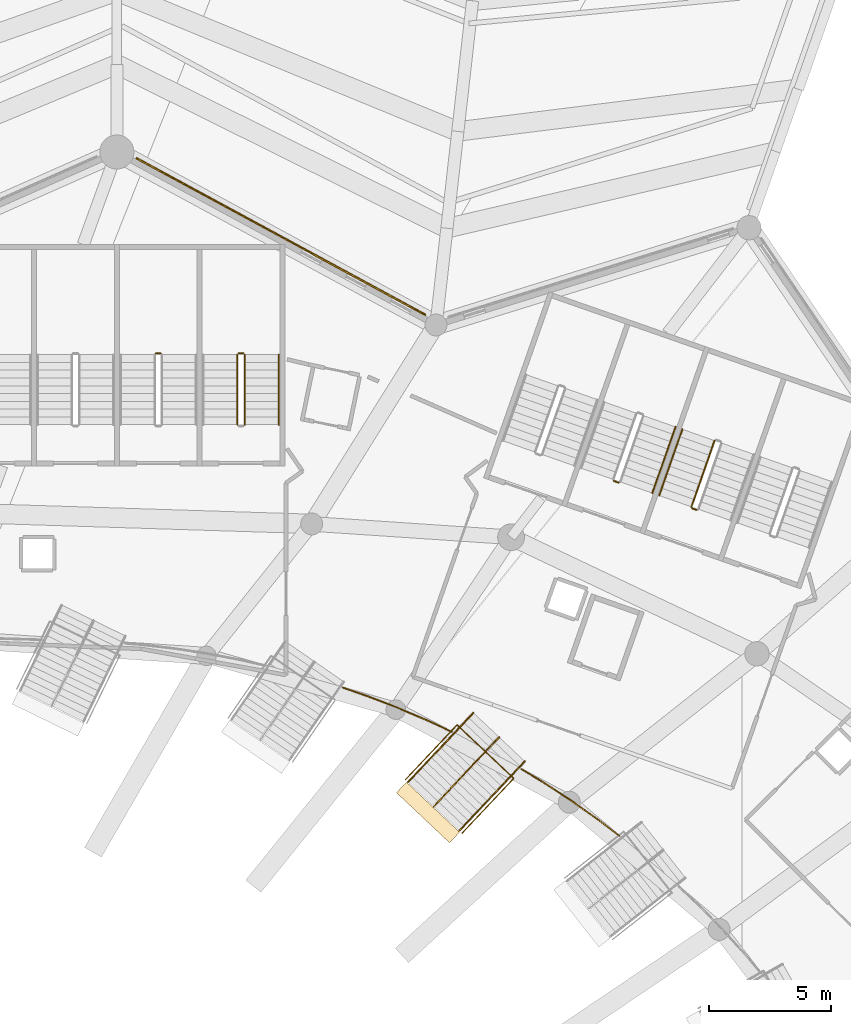
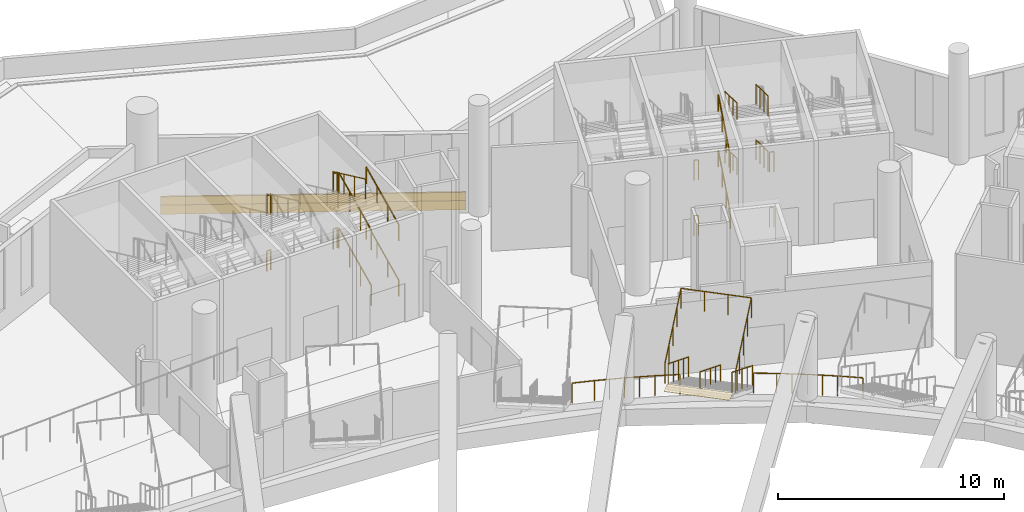
# One storey, part 168 of 173: 25 railings, 3 coverings.
"""IFC4 building model written with IfcOpenShell, lengths in metres."""

from ifc_helpers import new_model, si_unit, direction, frame, origin, origin_2d, place, context, subcontext, project, spatial, rectangle, circle, extrude, material, layer, layer_set, type_object, element, save


model = new_model("IFC4")

# Units and contexts
model_context = context("Model", 3, precision=1e-05, world=origin(), true_north=direction((0.0, 1.0)))
body_context = subcontext(model_context, "Body", "Model", "MODEL_VIEW")
ifc_project = project(units=[si_unit("LENGTHUNIT", "METRE"), si_unit("AREAUNIT", "SQUARE_METRE"), si_unit("VOLUMEUNIT", "CUBIC_METRE"), si_unit("PLANEANGLEUNIT", "RADIAN"), si_unit("MASSUNIT", "GRAM", prefix="KILO")], contexts=[model_context])

# Site, building, storey
site_placement = place(None, origin())
site = spatial("IfcSite", under=ifc_project, at=site_placement, CompositionType="ELEMENT")
building_placement = place(site_placement, origin())
building = spatial("IfcBuilding", under=site, at=building_placement, Name="Meseta Stadium", CompositionType="ELEMENT")
storey_placement = place(building_placement, frame((0.0, 0.0, 18.0)))
storey = spatial("IfcBuildingStorey", under=building, at=storey_placement, Name="L03", CompositionType="ELEMENT", Elevation=18.0)

# Covering
ifc_material_1 = material(Name="Guadarrama granite cladding", Category="masonry")
ifc_layer_1 = layer(ifc_material_1, 0.06005859375)
ifc_layer_set_1 = layer_set([ifc_layer_1], Name="Granite plinth cladding 60")
covering_type_1 = type_object("IfcCoveringType", Name="Granite plinth cladding 60", PredefinedType="CLADDING", material=ifc_layer_set_1)
covering_1_placement = place(storey_placement, frame((45.071044921875, 101.923828125, 0.0), z_axis=(0.0, 0.0, 1.0), x_axis=(0.879141700714, -0.476560457933, 0.0)))
element("IfcCovering", 1, at=covering_1_placement, inside=storey, type_object=covering_type_1, Name="Granite plinth L03 F15", PredefinedType="CLADDING", context=body_context, shape_type="SweptSolid", body=[
    extrude(rectangle(XDim=13.5205078125, YDim=0.06005859375, at=origin_2d()), origin(), (0.0, 0.0, 1.0), 0.5),
])

# Railings
ifc_material_2 = material(Name="Steel S355", Category="steel")
railing_type_1 = type_object("IfcRailingType", Name="Plate edge guard 1100", PredefinedType="GUARDRAIL", material=ifc_material_2)
railing_1_placement = place(storey_placement, frame((58.97412109375, 77.314208984375, 0.0)))
element("IfcRailing", 2, at=railing_1_placement, inside=storey, type_object=railing_type_1, Name="L03 inner edge guard 14", PredefinedType="GUARDRAIL", context=body_context, shape_type="SweptSolid", body=[
    extrude(circle(Radius=0.02490234375, at=origin_2d()), frame((0.0, 0.0, 1.0751953125), z_axis=(-0.795674728127, 0.605724134421, 0.0), x_axis=(-0.605724134421, -0.795674728127, 0.0)), (0.0, 0.0, 1.0), 1.1298828125),
    extrude(circle(Radius=0.02490234375, at=origin_2d()), frame((-0.89892578125, 0.684326171875, 1.0751953125), z_axis=(-0.816797629008, 0.576924287274, 0.0), x_axis=(-0.576924287274, -0.816797629008, 0.0)), (0.0, 0.0, 1.0), 1.3515625),
    extrude(circle(Radius=0.02490234375, at=origin_2d()), frame((-2.0029296875, 1.464111328125, 1.0751953125), z_axis=(-0.836743645867, 0.547594805583, 0.0), x_axis=(-0.547594805583, -0.836743645867, 0.0)), (0.0, 0.0, 1.0), 1.351806640625),
    extrude(circle(Radius=0.02490234375, at=origin_2d()), frame((-3.134033203125, 2.204345703125, 1.0751953125), z_axis=(-0.855746499961, 0.517395330289, 0.0), x_axis=(-0.517395330289, -0.855746499961, 0.0)), (0.0, 0.0, 1.0), 1.0390625),
    extrude(circle(Radius=0.02001953125, at=origin_2d()), origin(), (0.0, 0.0, 1.0), 1.050048828125),
    extrude(circle(Radius=0.02001953125, at=origin_2d()), frame((-0.89892578125, 0.684326171875, 0.0)), (0.0, 0.0, 1.0), 1.050048828125),
    extrude(circle(Radius=0.02001953125, at=origin_2d()), frame((-1.450927734375, 1.07421875, 0.0)), (0.0, 0.0, 1.0), 1.050048828125),
    extrude(circle(Radius=0.02001953125, at=origin_2d()), frame((-2.0029296875, 1.464111328125, 0.0)), (0.0, 0.0, 1.0), 1.050048828125),
    extrude(circle(Radius=0.02001953125, at=origin_2d()), frame((-2.568359375, 1.834228515625, 0.0)), (0.0, 0.0, 1.0), 1.050048828125),
    extrude(circle(Radius=0.02001953125, at=origin_2d()), frame((-3.134033203125, 2.204345703125, 0.0)), (0.0, 0.0, 1.0), 1.050048828125),
    extrude(circle(Radius=0.02001953125, at=origin_2d()), frame((-4.023193359375, 2.741943359375, 0.0)), (0.0, 0.0, 1.0), 1.050048828125),
])
railing_2_placement = place(storey_placement, frame((52.083251953125, 81.591796875, 0.0)))
element("IfcRailing", 3, at=railing_2_placement, inside=storey, type_object=railing_type_1, Name="L03 inner edge guard 15", PredefinedType="GUARDRAIL", context=body_context, shape_type="SweptSolid", body=[
    extrude(circle(Radius=0.02490234375, at=origin_2d()), frame((0.0, 0.0, 1.0751953125), z_axis=(-0.906110366799, 0.423041372894, 0.0), x_axis=(-0.423041372894, -0.906110366799, 0.0)), (0.0, 0.0, 1.0), 1.114501953125),
    extrude(circle(Radius=0.02490234375, at=origin_2d()), frame((-1.009765625, 0.471435546875, 1.0751953125), z_axis=(-0.920530635071, 0.390670385231, 0.0), x_axis=(-0.390670385231, -0.920530635071, 0.0)), (0.0, 0.0, 1.0), 1.352294921875),
    extrude(circle(Radius=0.02490234375, at=origin_2d()), frame((-2.254638671875, 0.999755859375, 1.0751953125), z_axis=(-0.933888814038, 0.357563537033, 0.0), x_axis=(-0.357563537033, -0.933888814038, 0.0)), (0.0, 0.0, 1.0), 1.3525390625),
    extrude(circle(Radius=0.02490234375, at=origin_2d()), frame((-3.517822265625, 1.4833984375, 1.0751953125), z_axis=(-0.945948078572, 0.324318104099, 0.0), x_axis=(-0.324318104099, -0.945948078572, 0.0)), (0.0, 0.0, 1.0), 1.00341796875),
    extrude(circle(Radius=0.02001953125, at=origin_2d()), origin(), (0.0, 0.0, 1.0), 1.050048828125),
    extrude(circle(Radius=0.02001953125, at=origin_2d()), frame((-1.009765625, 0.471435546875, 0.0)), (0.0, 0.0, 1.0), 1.050048828125),
    extrude(circle(Radius=0.02001953125, at=origin_2d()), frame((-1.63232421875, 0.735595703125, 0.0)), (0.0, 0.0, 1.0), 1.050048828125),
    extrude(circle(Radius=0.02001953125, at=origin_2d()), frame((-2.254638671875, 0.999755859375, 0.0)), (0.0, 0.0, 1.0), 1.050048828125),
    extrude(circle(Radius=0.02001953125, at=origin_2d()), frame((-2.88623046875, 1.24169921875, 0.0)), (0.0, 0.0, 1.0), 1.050048828125),
    extrude(circle(Radius=0.02001953125, at=origin_2d()), frame((-3.517822265625, 1.4833984375, 0.0)), (0.0, 0.0, 1.0), 1.050048828125),
    extrude(circle(Radius=0.02001953125, at=origin_2d()), frame((-4.467041015625, 1.808837890625, 0.0)), (0.0, 0.0, 1.0), 1.050048828125),
])
ifc_material_3 = material(Name="Steel S355", Category="steel")
railing_type_2 = type_object("IfcRailingType", Name="Stair guard 1100", PredefinedType="GUARDRAIL", material=ifc_material_3)
railing_3_placement = place(storey_placement, frame((62.88037109375, 93.548583984375, 1.64990234375)))
element("IfcRailing", 4, at=railing_3_placement, inside=storey, type_object=railing_type_2, Name="ST30 L03 guard 3", PredefinedType="GUARDRAIL", context=body_context, shape_type="SweptSolid", body=[
    extrude(circle(Radius=0.02392578125, at=origin_2d()), frame((0.0, 0.0, 1.076171875), z_axis=(-0.299031328765, -0.854649344405, 0.42444641891), x_axis=(0.943891390388, -0.330256026668, 0.0)), (0.0, 0.0, 1.0), 3.180908203125),
    extrude(circle(Radius=0.02099609375, at=origin_2d()), origin(), (0.0, 0.0, 1.0), 1.052001953125),
    extrude(circle(Radius=0.02099609375, at=origin_2d()), frame((-0.317138671875, -0.90625, 0.449951171875)), (0.0, 0.0, 1.0), 1.052001953125),
    extrude(circle(Radius=0.02099609375, at=origin_2d()), frame((-0.634033203125, -1.812255859375, 0.900146484375)), (0.0, 0.0, 1.0), 1.052001953125),
    extrude(circle(Radius=0.02099609375, at=origin_2d()), frame((-0.951171875, -2.718505859375, 1.35009765625)), (0.0, 0.0, 1.0), 1.052001953125),
])
railing_4_placement = place(storey_placement, frame((62.148681640625, 90.700439453125, 3.0)))
element("IfcRailing", 5, at=railing_4_placement, inside=storey, type_object=railing_type_2, Name="ST30 L03 guard 4", PredefinedType="GUARDRAIL", context=body_context, shape_type="SweptSolid", body=[
    extrude(circle(Radius=0.02392578125, at=origin_2d()), frame((0.0, 0.0, 1.076171875), z_axis=(-0.944067610699, 0.329751946816, 0.0), x_axis=(-0.329751946816, -0.944067610699, 0.0)), (0.0, 0.0, 1.0), 0.199951171875),
    extrude(circle(Radius=0.02099609375, at=origin_2d()), origin(), (0.0, 0.0, 1.0), 1.052001953125),
    extrude(circle(Radius=0.02099609375, at=origin_2d()), frame((-0.188720703125, 0.06591796875, 0.0)), (0.0, 0.0, 1.0), 1.052001953125),
])
railing_5_placement = place(storey_placement, frame((62.88037109375, 93.548583984375, 4.64990234375)))
element("IfcRailing", 6, at=railing_5_placement, inside=storey, type_object=railing_type_2, Name="ST30 L03 guard 7", PredefinedType="GUARDRAIL", context=body_context, shape_type="SweptSolid", body=[
    extrude(circle(Radius=0.02392578125, at=origin_2d()), frame((0.0, 0.0, 1.076171875), z_axis=(-0.299031328765, -0.854649344405, 0.42444641891), x_axis=(0.943891390388, -0.330256026668, 0.0)), (0.0, 0.0, 1.0), 3.180908203125),
    extrude(circle(Radius=0.02099609375, at=origin_2d()), origin(), (0.0, 0.0, 1.0), 1.052001953125),
    extrude(circle(Radius=0.02099609375, at=origin_2d()), frame((-0.317138671875, -0.90625, 0.449951171875)), (0.0, 0.0, 1.0), 1.052001953125),
    extrude(circle(Radius=0.02099609375, at=origin_2d()), frame((-0.634033203125, -1.812255859375, 0.900146484375)), (0.0, 0.0, 1.0), 1.052001953125),
    extrude(circle(Radius=0.02099609375, at=origin_2d()), frame((-0.951171875, -2.718505859375, 1.35009765625)), (0.0, 0.0, 1.0), 1.052001953125),
])
railing_6_placement = place(storey_placement, frame((62.148681640625, 90.700439453125, 0.0)))
element("IfcRailing", 7, at=railing_6_placement, inside=storey, type_object=railing_type_2, Name="ST30 L03 guard 8", PredefinedType="GUARDRAIL", context=body_context, shape_type="SweptSolid", body=[
    extrude(circle(Radius=0.02392578125, at=origin_2d()), frame((0.0, 0.0, 1.076171875), z_axis=(-0.944067610699, 0.329751946816, 0.0), x_axis=(-0.329751946816, -0.944067610699, 0.0)), (0.0, 0.0, 1.0), 0.199951171875),
    extrude(circle(Radius=0.02099609375, at=origin_2d()), origin(), (0.0, 0.0, 1.0), 1.052001953125),
    extrude(circle(Radius=0.02099609375, at=origin_2d()), frame((-0.188720703125, 0.06591796875, 0.0)), (0.0, 0.0, 1.0), 1.052001953125),
])
for number, where, name in (
    (8, (58.939453125, 91.8232421875, 3.0), "ST31 L03 guard 4"),
    (9, (58.939453125, 91.8232421875, 0.0), "ST31 L03 guard 8"),
):
    element("IfcRailing", number, at=place(storey_placement, frame(where)), inside=storey, type_object=railing_type_2, Name=name, PredefinedType="GUARDRAIL", context=body_context, shape_type="SweptSolid", body=[
        extrude(circle(Radius=0.02392578125, at=origin_2d()), frame((0.0, 0.0, 1.076171875), z_axis=(-0.943686935281, 0.330839792317, 0.0), x_axis=(-0.330839792317, -0.943686935281, 0.0)), (0.0, 0.0, 1.0), 0.199951171875),
        extrude(circle(Radius=0.02099609375, at=origin_2d()), origin(), (0.0, 0.0, 1.0), 1.052001953125),
        extrude(circle(Radius=0.02099609375, at=origin_2d()), frame((-0.188720703125, 0.066162109375, 0.0)), (0.0, 0.0, 1.0), 1.052001953125),
    ])
railing_7_placement = place(storey_placement, frame((43.583251953125, 94.199951171875, 0.14990234375)))
element("IfcRailing", 10, at=railing_7_placement, inside=storey, type_object=railing_type_2, Name="ST33 L03 guard 1", PredefinedType="GUARDRAIL", context=body_context, shape_type="SweptSolid", body=[
    extrude(circle(Radius=0.02392578125, at=origin_2d()), frame((0.0, 0.0, 1.076171875), z_axis=(0.0, 0.905454327043, 0.424443708447), x_axis=(-1.0, 0.0, 0.0)), (0.0, 0.0, 1.0), 3.180908203125),
    extrude(circle(Radius=0.02099609375, at=origin_2d()), origin(), (0.0, 0.0, 1.0), 1.052001953125),
    extrude(circle(Radius=0.02099609375, at=origin_2d()), frame((0.0, 0.9599609375, 0.449951171875)), (0.0, 0.0, 1.0), 1.052001953125),
    extrude(circle(Radius=0.02099609375, at=origin_2d()), frame((0.0, 1.920166015625, 0.900146484375)), (0.0, 0.0, 1.0), 1.052001953125),
    extrude(circle(Radius=0.02099609375, at=origin_2d()), frame((0.0, 2.880126953125, 1.35009765625)), (0.0, 0.0, 1.0), 1.052001953125),
])
railing_8_placement = place(storey_placement, frame((43.533447265625, 97.1298828125, 1.5)))
element("IfcRailing", 11, at=railing_8_placement, inside=storey, type_object=railing_type_2, Name="ST33 L03 guard 2", PredefinedType="GUARDRAIL", context=body_context, shape_type="SweptSolid", body=[
    extrude(circle(Radius=0.02392578125, at=origin_2d()), frame((0.0, 0.0, 1.076171875), z_axis=(-1.0, 0.0, 0.0), x_axis=(0.0, -1.0, 0.0)), (0.0, 0.0, 1.0), 0.2001953125),
    extrude(circle(Radius=0.02099609375, at=origin_2d()), origin(), (0.0, 0.0, 1.0), 1.052001953125),
    extrude(circle(Radius=0.02099609375, at=origin_2d()), frame((-0.2001953125, 0.0, 0.0)), (0.0, 0.0, 1.0), 1.052001953125),
])
railing_9_placement = place(storey_placement, frame((43.583251953125, 94.199951171875, 3.14990234375)))
element("IfcRailing", 12, at=railing_9_placement, inside=storey, type_object=railing_type_2, Name="ST33 L03 guard 5", PredefinedType="GUARDRAIL", context=body_context, shape_type="SweptSolid", body=[
    extrude(circle(Radius=0.02392578125, at=origin_2d()), frame((0.0, 0.0, 1.076171875), z_axis=(0.0, 0.905454327043, 0.424443708447), x_axis=(-1.0, 0.0, 0.0)), (0.0, 0.0, 1.0), 3.180908203125),
    extrude(circle(Radius=0.02099609375, at=origin_2d()), origin(), (0.0, 0.0, 1.0), 1.052001953125),
    extrude(circle(Radius=0.02099609375, at=origin_2d()), frame((0.0, 0.9599609375, 0.449951171875)), (0.0, 0.0, 1.0), 1.052001953125),
    extrude(circle(Radius=0.02099609375, at=origin_2d()), frame((0.0, 1.920166015625, 0.900146484375)), (0.0, 0.0, 1.0), 1.052001953125),
    extrude(circle(Radius=0.02099609375, at=origin_2d()), frame((0.0, 2.880126953125, 1.35009765625)), (0.0, 0.0, 1.0), 1.052001953125),
])
railing_10_placement = place(storey_placement, frame((43.533447265625, 97.1298828125, 4.5)))
element("IfcRailing", 13, at=railing_10_placement, inside=storey, type_object=railing_type_2, Name="ST33 L03 guard 6", PredefinedType="GUARDRAIL", context=body_context, shape_type="SweptSolid", body=[
    extrude(circle(Radius=0.02392578125, at=origin_2d()), frame((0.0, 0.0, 1.076171875), z_axis=(-1.0, 0.0, 0.0), x_axis=(0.0, -1.0, 0.0)), (0.0, 0.0, 1.0), 0.2001953125),
    extrude(circle(Radius=0.02099609375, at=origin_2d()), origin(), (0.0, 0.0, 1.0), 1.052001953125),
    extrude(circle(Radius=0.02099609375, at=origin_2d()), frame((-0.2001953125, 0.0, 0.0)), (0.0, 0.0, 1.0), 1.052001953125),
])
railing_11_placement = place(storey_placement, frame((43.283447265625, 97.080078125, 4.64990234375)))
element("IfcRailing", 14, at=railing_11_placement, inside=storey, type_object=railing_type_2, Name="ST33 L03 guard 7", PredefinedType="GUARDRAIL", context=body_context, shape_type="SweptSolid", body=[
    extrude(circle(Radius=0.02392578125, at=origin_2d()), frame((0.0, 0.0, 1.076171875), z_axis=(0.0, -0.905454327043, 0.424443708447), x_axis=(1.0, 0.0, 0.0)), (0.0, 0.0, 1.0), 3.180908203125),
    extrude(circle(Radius=0.02099609375, at=origin_2d()), origin(), (0.0, 0.0, 1.0), 1.052001953125),
    extrude(circle(Radius=0.02099609375, at=origin_2d()), frame((0.0, -0.9599609375, 0.449951171875)), (0.0, 0.0, 1.0), 1.052001953125),
    extrude(circle(Radius=0.02099609375, at=origin_2d()), frame((0.0, -1.920166015625, 0.900146484375)), (0.0, 0.0, 1.0), 1.052001953125),
    extrude(circle(Radius=0.02099609375, at=origin_2d()), frame((0.0, -2.880126953125, 1.35009765625)), (0.0, 0.0, 1.0), 1.052001953125),
])
for number, where, name in (
    (15, (40.13330078125, 97.1298828125, 1.5), "ST34 L03 guard 2"),
    (16, (40.13330078125, 97.1298828125, 4.5), "ST34 L03 guard 6"),
):
    element("IfcRailing", number, at=place(storey_placement, frame(where)), inside=storey, type_object=railing_type_2, Name=name, PredefinedType="GUARDRAIL", context=body_context, shape_type="SweptSolid", body=[
        extrude(circle(Radius=0.02392578125, at=origin_2d()), frame((0.0, 0.0, 1.076171875), z_axis=(-1.0, 0.0, 0.0), x_axis=(0.0, -1.0, 0.0)), (0.0, 0.0, 1.0), 0.199951171875),
        extrude(circle(Radius=0.02099609375, at=origin_2d()), origin(), (0.0, 0.0, 1.0), 1.052001953125),
        extrude(circle(Radius=0.02099609375, at=origin_2d()), frame((-0.199951171875, 0.0, 0.0)), (0.0, 0.0, 1.0), 1.052001953125),
    ])
ifc_material_4 = material(Name="Steel S355", Category="steel")
railing_type_3 = type_object("IfcRailingType", Name="Stair handrail 900", PredefinedType="HANDRAIL", material=ifc_material_4)
for number, where, name in (
    (17, (61.55908203125, 94.010986328125, 1.64990234375), "ST30 L03 handrail 2"),
    (18, (61.55908203125, 94.010986328125, 4.64990234375), "ST30 L03 handrail 4"),
):
    element("IfcRailing", number, at=place(storey_placement, frame(where)), inside=storey, type_object=railing_type_3, Name=name, PredefinedType="HANDRAIL", context=body_context, shape_type="SweptSolid", body=[
        extrude(circle(Radius=0.02392578125, at=origin_2d()), frame((0.0, 0.0, 0.8759765625), z_axis=(-0.299031328765, -0.854649344405, 0.42444641891), x_axis=(0.943891390388, -0.330256026668, 0.0)), (0.0, 0.0, 1.0), 3.180908203125),
        extrude(circle(Radius=0.02099609375, at=origin_2d()), origin(), (0.0, 0.0, 1.0), 0.851806640625),
        extrude(circle(Radius=0.02099609375, at=origin_2d()), frame((-0.317138671875, -0.90625, 0.449951171875)), (0.0, 0.0, 1.0), 0.851806640625),
        extrude(circle(Radius=0.02099609375, at=origin_2d()), frame((-0.634033203125, -1.812255859375, 0.900146484375)), (0.0, 0.0, 1.0), 0.851806640625),
        extrude(circle(Radius=0.02099609375, at=origin_2d()), frame((-0.951171875, -2.718505859375, 1.35009765625)), (0.0, 0.0, 1.0), 0.851806640625),
    ])
for number, where, name in (
    (19, (60.32470703125, 91.3916015625, 0.14990234375), "ST31 L03 handrail 1"),
    (20, (60.32470703125, 91.3916015625, 3.14990234375), "ST31 L03 handrail 3"),
):
    element("IfcRailing", number, at=place(storey_placement, frame(where)), inside=storey, type_object=railing_type_3, Name=name, PredefinedType="HANDRAIL", context=body_context, shape_type="SweptSolid", body=[
        extrude(circle(Radius=0.02392578125, at=origin_2d()), frame((0.0, 0.0, 0.8759765625), z_axis=(0.299031328765, 0.854649344405, 0.42444641891), x_axis=(-0.943891390388, 0.330256026668, 0.0)), (0.0, 0.0, 1.0), 3.180908203125),
        extrude(circle(Radius=0.02099609375, at=origin_2d()), origin(), (0.0, 0.0, 1.0), 0.851806640625),
        extrude(circle(Radius=0.02099609375, at=origin_2d()), frame((0.317138671875, 0.90625, 0.449951171875)), (0.0, 0.0, 1.0), 0.851806640625),
        extrude(circle(Radius=0.02099609375, at=origin_2d()), frame((0.634033203125, 1.812255859375, 0.900146484375)), (0.0, 0.0, 1.0), 0.851806640625),
        extrude(circle(Radius=0.02099609375, at=origin_2d()), frame((0.951171875, 2.718505859375, 1.35009765625)), (0.0, 0.0, 1.0), 0.851806640625),
    ])
for number, where, name in (
    (21, (44.9833984375, 94.199951171875, 0.14990234375), "ST33 L03 handrail 1"),
    (22, (44.9833984375, 94.199951171875, 3.14990234375), "ST33 L03 handrail 3"),
):
    element("IfcRailing", number, at=place(storey_placement, frame(where)), inside=storey, type_object=railing_type_3, Name=name, PredefinedType="HANDRAIL", context=body_context, shape_type="SweptSolid", body=[
        extrude(circle(Radius=0.02392578125, at=origin_2d()), frame((0.0, 0.0, 0.8759765625), z_axis=(0.0, 0.905454327043, 0.424443708447), x_axis=(-1.0, 0.0, 0.0)), (0.0, 0.0, 1.0), 3.180908203125),
        extrude(circle(Radius=0.02099609375, at=origin_2d()), origin(), (0.0, 0.0, 1.0), 0.851806640625),
        extrude(circle(Radius=0.02099609375, at=origin_2d()), frame((0.0, 0.9599609375, 0.449951171875)), (0.0, 0.0, 1.0), 0.851806640625),
        extrude(circle(Radius=0.02099609375, at=origin_2d()), frame((0.0, 1.920166015625, 0.900146484375)), (0.0, 0.0, 1.0), 0.851806640625),
        extrude(circle(Radius=0.02099609375, at=origin_2d()), frame((0.0, 2.880126953125, 1.35009765625)), (0.0, 0.0, 1.0), 0.851806640625),
    ])

# Coverings
ifc_material_5 = material(Name="Precast concrete C40/50, terracotta pigment", Category="masonry")
ifc_layer_2 = layer(ifc_material_5, 0.080078125)
ifc_layer_set_2 = layer_set([ifc_layer_2], Name="Precast concrete C40/50, terracotta pigment")
covering_type_2 = type_object("IfcCoveringType", Name="Terracotta precast band 80", PredefinedType="CLADDING", material=ifc_layer_set_2)
covering_2_placement = place(storey_placement, frame((45.075927734375, 101.9326171875, 0.5), z_axis=(0.0, 0.0, 1.0), x_axis=(0.879141700714, -0.476560457933, 0.0)))
element("IfcCovering", 23, at=covering_2_placement, inside=storey, type_object=covering_type_2, Name="Terracotta band L03 F15", PredefinedType="CLADDING", context=body_context, shape_type="SweptSolid", body=[
    extrude(rectangle(XDim=13.5205078125, YDim=0.080078125, at=origin_2d()), origin(), (0.0, 0.0, 1.0), 0.449951171875),
])
ifc_material_6 = material(Name="Stone paving", Category="masonry")
ifc_layer_3 = layer(ifc_material_6, 0.02001953125)
ifc_layer_set_3 = layer_set([ifc_layer_3], Name="Vomitory exit threshold plate 20")
covering_type_3 = type_object("IfcCoveringType", Name="Vomitory exit threshold plate 20", PredefinedType="FLOORING", material=ifc_layer_set_3)
covering_3_placement = place(storey_placement, frame((51.113525390625, 78.275146484375, 2.453125), z_axis=(0.0, 0.0, 1.0), x_axis=(-0.686064733008, -0.72754050205, 0.0)))
element("IfcCovering", 24, at=covering_3_placement, inside=storey, type_object=covering_type_3, Name="Vomitory V-upper-14 exit threshold", PredefinedType="FLOORING", context=body_context, shape_type="SweptSolid", body=[
    extrude(rectangle(XDim=0.60009765625, YDim=3.0, at=origin_2d()), origin(), (0.0, 0.0, 1.0), 0.02001953125),
])

# Railings
ifc_material_7 = material(Name="Steel S355", Category="steel")
railing_type_4 = type_object("IfcRailingType", Name="Vomitory slot guard 1100", PredefinedType="GUARDRAIL", material=ifc_material_7)
railing_12_placement = place(storey_placement, frame((50.1787109375, 79.61572265625, 2.47314453125)))
element("IfcRailing", 25, at=railing_12_placement, inside=storey, type_object=railing_type_4, Name="Vomitory V-upper-14 slot guard", PredefinedType="GUARDRAIL", context=body_context, shape_type="SweptSolid", body=[
    extrude(circle(Radius=0.02490234375, at=origin_2d()), frame((0.0, 0.0, 1.0751953125), z_axis=(0.581765575966, 0.616961358141, 0.530007072766), x_axis=(-0.727554587562, 0.686049795654, 0.0)), (0.0, 0.0, 1.0), 3.655517578125),
    extrude(circle(Radius=0.02490234375, at=origin_2d()), frame((2.126708984375, 2.25537109375, 3.0126953125), z_axis=(0.727554587562, -0.686049795654, 0.0), x_axis=(0.686049795654, 0.727554587562, 0.0)), (0.0, 0.0, 1.0), 3.199951171875),
    extrude(circle(Radius=0.02490234375, at=origin_2d()), frame((4.454833984375, 0.06005859375, 3.0126953125), z_axis=(-0.581765575966, -0.616961358141, -0.530007072766), x_axis=(0.727554587562, -0.686049795654, 0.0)), (0.0, 0.0, 1.0), 3.655517578125),
    extrude(circle(Radius=0.02001953125, at=origin_2d()), origin(), (0.0, 0.0, 1.0), 1.050048828125),
    extrude(circle(Radius=0.02001953125, at=origin_2d()), frame((0.53173828125, 0.56396484375, 0.484375)), (0.0, 0.0, 1.0), 1.050048828125),
    extrude(circle(Radius=0.02001953125, at=origin_2d()), frame((1.0634765625, 1.127685546875, 0.96875)), (0.0, 0.0, 1.0), 1.050048828125),
    extrude(circle(Radius=0.02001953125, at=origin_2d()), frame((1.594970703125, 1.69140625, 1.453125)), (0.0, 0.0, 1.0), 1.050048828125),
    extrude(circle(Radius=0.02001953125, at=origin_2d()), frame((2.126708984375, 2.25537109375, 1.9375)), (0.0, 0.0, 1.0), 1.050048828125),
    extrude(circle(Radius=0.02001953125, at=origin_2d()), frame((2.90283203125, 1.523681640625, 1.9375)), (0.0, 0.0, 1.0), 1.050048828125),
    extrude(circle(Radius=0.02001953125, at=origin_2d()), frame((3.6787109375, 0.791748046875, 1.9375)), (0.0, 0.0, 1.0), 1.050048828125),
    extrude(circle(Radius=0.02001953125, at=origin_2d()), frame((4.454833984375, 0.06005859375, 1.9375)), (0.0, 0.0, 1.0), 1.050048828125),
    extrude(circle(Radius=0.02001953125, at=origin_2d()), frame((3.923095703125, -0.50390625, 1.453125)), (0.0, 0.0, 1.0), 1.050048828125),
    extrude(circle(Radius=0.02001953125, at=origin_2d()), frame((3.3916015625, -1.067626953125, 0.96875)), (0.0, 0.0, 1.0), 1.050048828125),
    extrude(circle(Radius=0.02001953125, at=origin_2d()), frame((2.85986328125, -1.63134765625, 0.484375)), (0.0, 0.0, 1.0), 1.050048828125),
    extrude(circle(Radius=0.02001953125, at=origin_2d()), frame((2.328125, -2.1953125, 0.0)), (0.0, 0.0, 1.0), 1.050048828125),
])
ifc_material_8 = material(Name="Steel S355", Category="steel")
railing_type_5 = type_object("IfcRailingType", Name="Vomitory stair guard 1100", PredefinedType="GUARDRAIL", material=ifc_material_8)
for number, where, name in (
    (26, (55.087158203125, 80.375244140625, 0.164794921875), "Vomitory V-upper-14 guard left"),
    (27, (52.977294921875, 82.364990234375, 0.164794921875), "Vomitory V-upper-14 guard right"),
):
    element("IfcRailing", number, at=place(storey_placement, frame(where)), inside=storey, type_object=railing_type_5, Name=name, PredefinedType="GUARDRAIL", context=body_context, shape_type="SweptSolid", body=[
        extrude(circle(Radius=0.02490234375, at=origin_2d()), frame((0.0, 0.0, 1.0751953125), z_axis=(-0.591183845792, -0.626925352808, 0.507411334601), x_axis=(0.727541443777, -0.686063734348, 0.0)), (0.0, 0.0, 1.0), 4.54931640625),
        extrude(circle(Radius=0.02001953125, at=origin_2d()), origin(), (0.0, 0.0, 1.0), 1.050048828125),
        extrude(circle(Radius=0.02001953125, at=origin_2d()), frame((-0.67236328125, -0.712890625, 0.5771484375)), (0.0, 0.0, 1.0), 1.050048828125),
        extrude(circle(Radius=0.02001953125, at=origin_2d()), frame((-1.3447265625, -1.426025390625, 1.154296875)), (0.0, 0.0, 1.0), 1.050048828125),
        extrude(circle(Radius=0.02001953125, at=origin_2d()), frame((-2.01708984375, -2.13916015625, 1.731201171875)), (0.0, 0.0, 1.0), 1.050048828125),
        extrude(circle(Radius=0.02001953125, at=origin_2d()), frame((-2.689453125, -2.85205078125, 2.308349609375)), (0.0, 0.0, 1.0), 1.050048828125),
    ])
ifc_material_9 = material(Name="Steel S355", Category="steel")
railing_type_6 = type_object("IfcRailingType", Name="Vomitory stair handrail 900", PredefinedType="HANDRAIL", material=ifc_material_9)
railing_13_placement = place(storey_placement, frame((54.0322265625, 81.3701171875, 0.164794921875)))
element("IfcRailing", 28, at=railing_13_placement, inside=storey, type_object=railing_type_6, Name="Vomitory V-upper-14 central handrail", PredefinedType="HANDRAIL", context=body_context, shape_type="SweptSolid", body=[
    extrude(circle(Radius=0.02490234375, at=origin_2d()), frame((0.0, 0.0, 0.875), z_axis=(-0.591183845792, -0.626925352808, 0.507411334601), x_axis=(0.727541443777, -0.686063734348, 0.0)), (0.0, 0.0, 1.0), 4.54931640625),
    extrude(circle(Radius=0.02001953125, at=origin_2d()), origin(), (0.0, 0.0, 1.0), 0.849853515625),
    extrude(circle(Radius=0.02001953125, at=origin_2d()), frame((-0.67236328125, -0.712890625, 0.5771484375)), (0.0, 0.0, 1.0), 0.849853515625),
    extrude(circle(Radius=0.02001953125, at=origin_2d()), frame((-1.3447265625, -1.426025390625, 1.154296875)), (0.0, 0.0, 1.0), 0.849853515625),
    extrude(circle(Radius=0.02001953125, at=origin_2d()), frame((-2.01708984375, -2.13916015625, 1.731201171875)), (0.0, 0.0, 1.0), 0.849853515625),
    extrude(circle(Radius=0.02001953125, at=origin_2d()), frame((-2.689453125, -2.85205078125, 2.308349609375)), (0.0, 0.0, 1.0), 0.849853515625),
])

save(model, "model.ifc")
